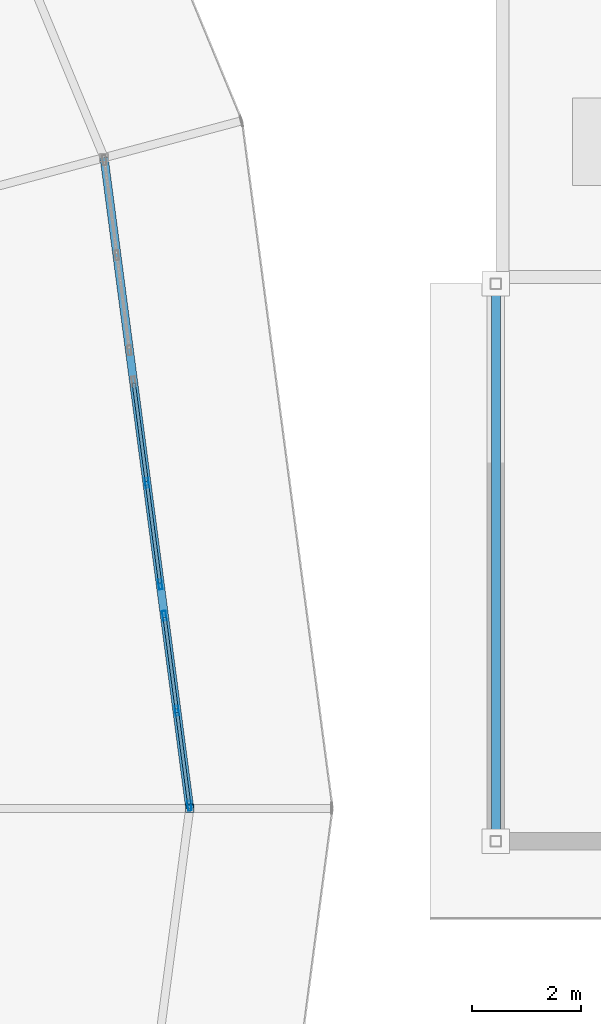
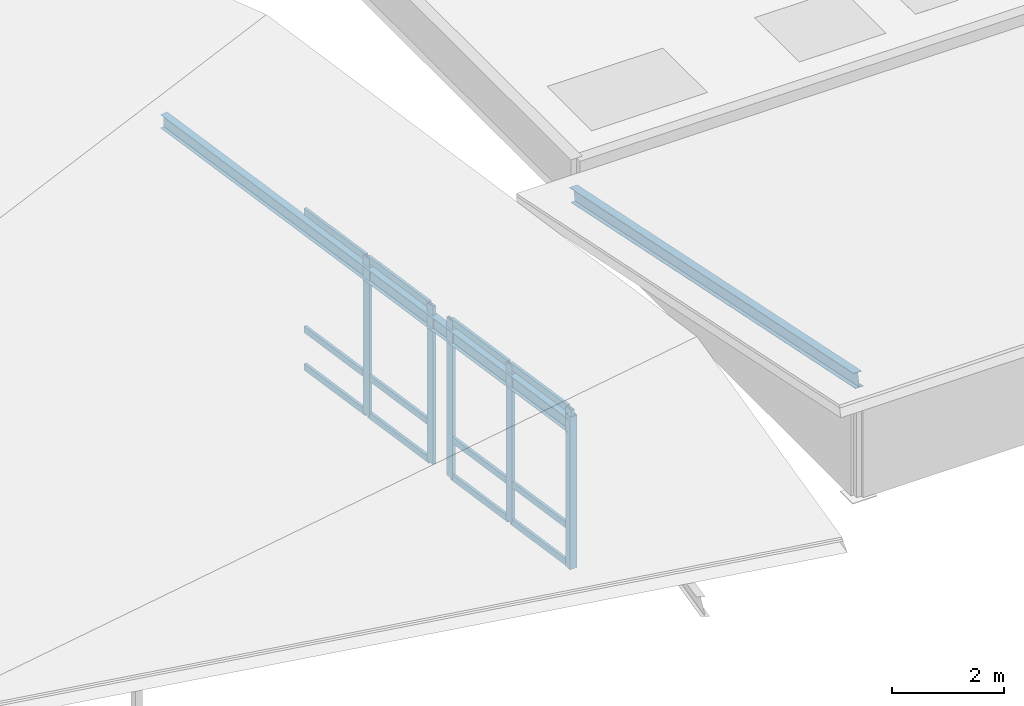
# One storey, part 115 of 200: 19 members, 1 beam, 2 elements without a shape of their own.
"""IFC4 building model written with IfcOpenShell, lengths in metres."""

import ifcopenshell
import ifcopenshell.guid

model = None  # the IFC model being written
_history = None  # IfcOwnerHistory: only IFC2X3 demands one
_inside = {}  # id of a spatial element -> (the spatial element, [elements in it])
_under = {}  # id of a project, library or spatial element -> (it, [spatial elements below it])
_declared = {}  # id of a project -> (the project, [libraries it declares])
_typed = {}  # id of a type object -> (the type object, [elements of that type])
_made_of = {}  # id of a material, layer set ... -> (it, [elements and type objects made of it])


def new_model(schema):
    """Start an empty IFC model of exactly this schema.

    Asked for "IFC4X3", IfcOpenShell would pick the latest addendum, in which some entities
    have other attributes; the version numbers below select the first issue.
    IFC2X3 requires an IfcOwnerHistory on every rooted entity: one is made here for all.
    """
    global model, _history
    if schema == "IFC4X3":
        model = ifcopenshell.file(schema_version=(4, 3, 0, 0))
    else:
        model = ifcopenshell.file(schema=schema)
    _inside.clear()
    _under.clear()
    _declared.clear()
    _typed.clear()
    _made_of.clear()
    _history = None
    if model.schema == "IFC2X3":
        org = make("IfcOrganization", Name="unknown")
        user = make(
            "IfcPersonAndOrganization",
            ThePerson=make("IfcPerson", FamilyName="unknown"),
            TheOrganization=org,
        )
        app = make(
            "IfcApplication",
            ApplicationDeveloper=org,
            Version="unknown",
            ApplicationFullName="unknown",
            ApplicationIdentifier="unknown",
        )
        _history = make(
            "IfcOwnerHistory",
            OwningUser=user,
            OwningApplication=app,
            ChangeAction="ADDED",
            CreationDate=0,
        )
    return model


def make(cls, **values):
    """One entity of the class cls with the attributes given. An attribute that is None is left unset."""
    return model.create_entity(
        cls, **{name: value for name, value in values.items() if value is not None}
    )


def rooted(cls, **values):
    """An entity with a GlobalId (a new one), such as an element, a storey or a relation."""
    return make(cls, GlobalId=ifcopenshell.guid.new(), OwnerHistory=_history, **values)


def si_unit(unit_type, name, prefix=None):
    """IfcSIUnit, for example si_unit("LENGTHUNIT", "METRE", prefix="MILLI")."""
    return make("IfcSIUnit", UnitType=unit_type, Prefix=prefix, Name=name)


def assignment(units):
    """IfcUnitAssignment: the units of a project."""
    return None if units is None else make("IfcUnitAssignment", Units=units)


def point(xyz):
    """IfcCartesianPoint."""
    return None if xyz is None else make("IfcCartesianPoint", Coordinates=xyz)


def direction(xyz):
    """IfcDirection."""
    return None if xyz is None else make("IfcDirection", DirectionRatios=xyz)


def frame(location, z_axis=None, x_axis=None):
    """IfcAxis2Placement3D, a coordinate frame: its origin and axes. An axis left out is left unset."""
    return make(
        "IfcAxis2Placement3D",
        Location=point(location),
        Axis=direction(z_axis),
        RefDirection=direction(x_axis),
    )


def frame_2d(location, x_axis=None):
    """IfcAxis2Placement2D, a coordinate frame in the plane: its origin and x axis."""
    return make(
        "IfcAxis2Placement2D", Location=point(location), RefDirection=direction(x_axis)
    )


def origin():
    """The frame at (0, 0, 0) with its axes left unset."""
    return frame((0.0, 0.0, 0.0))


def origin_2d():
    """The frame at (0, 0) in the plane with its x axis left unset."""
    return frame_2d((0.0, 0.0))


def place(relative_to, where):
    """IfcLocalPlacement: puts the frame where relative to a parent placement (None: the world)."""
    return make(
        "IfcLocalPlacement", PlacementRelTo=relative_to, RelativePlacement=where
    )


def context(
    kind, dimensions, precision=None, world=None, true_north=None, identifier=None
):
    """IfcGeometricRepresentationContext, for example the 3D "Model" context."""
    return make(
        "IfcGeometricRepresentationContext",
        ContextIdentifier=identifier,
        ContextType=kind,
        CoordinateSpaceDimension=dimensions,
        Precision=precision,
        WorldCoordinateSystem=world,
        TrueNorth=true_north,
    )


def subcontext(parent, identifier, kind, view, scale=None):
    """IfcGeometricRepresentationSubContext, for example "Body" below "Model"."""
    return make(
        "IfcGeometricRepresentationSubContext",
        ContextIdentifier=identifier,
        ContextType=kind,
        ParentContext=parent,
        TargetScale=scale,
        TargetView=view,
    )


def project(units=None, contexts=None):
    """IfcProject with its units and contexts."""
    return rooted(
        "IfcProject",
        Name="project",
        RepresentationContexts=contexts,
        UnitsInContext=assignment(units),
    )


def spatial(cls, under=None, at=None, **own):
    """A site, building, storey or space (cls), placed at a placement, below another one or the project."""
    s = rooted(cls, ObjectPlacement=at, **own)
    if under is not None:
        _under.setdefault(under.id(), (under, []))[1].append(s)
    return s


def profile(cls, at=None, kind="AREA", **sizes):
    """A parametric profile (cls). Its sizes go by their IFC names, for example OverallWidth=200.0."""
    return make(cls, ProfileType=kind, Position=at, **sizes)


def hollow_rectangle(**sizes):
    """IfcRectangleHollowProfileDef."""
    return profile("IfcRectangleHollowProfileDef", **sizes)


def i_section(**sizes):
    """IfcIShapeProfileDef."""
    return profile("IfcIShapeProfileDef", **sizes)


def extrude(swept, where, along, depth):
    """IfcExtrudedAreaSolid: the profile swept, set in the frame where, extruded along a direction by depth."""
    return make(
        "IfcExtrudedAreaSolid",
        SweptArea=swept,
        Position=where,
        ExtrudedDirection=direction(along),
        Depth=depth,
    )


def shape(context_of_items, identifier, shape_type, items):
    """IfcShapeRepresentation: the items that make up one representation, for example the "Body"."""
    return make(
        "IfcShapeRepresentation",
        ContextOfItems=context_of_items,
        RepresentationIdentifier=identifier,
        RepresentationType=shape_type,
        Items=items,
    )


def material(Name=None, Category=None):
    """IfcMaterial."""
    return make("IfcMaterial", Name=Name, Category=Category)


def material_profile(
    of_material, cross_section, Name=None, Category=None, Priority=None
):
    """IfcMaterialProfile: a cross section and its material."""
    return make(
        "IfcMaterialProfile",
        Name=Name,
        Material=of_material,
        Profile=cross_section,
        Priority=Priority,
        Category=Category,
    )


def profile_set(profiles, Name=None, composite=None):
    """IfcMaterialProfileSet."""
    return make(
        "IfcMaterialProfileSet",
        Name=Name,
        MaterialProfiles=profiles,
        CompositeProfile=composite,
    )


def made_of(thing, what):
    """Note that an element or type object is made of a material, layer set ...; save() writes the relation."""
    if what is not None:
        _made_of.setdefault(what.id(), (what, []))[1].append(thing)
    return thing


def type_object(cls, material=None, **own):
    """A type object (cls), such as IfcWallType, which elements share."""
    return made_of(rooted(cls, **own), material)


def element(
    cls,
    number,
    at=None,
    inside=None,
    cuts=None,
    type_object=None,
    material=None,
    context=None,
    identifier="Body",
    shape_type=None,
    held_by="IfcProductDefinitionShape",
    body=None,
    shapes=None,
    **own,
):
    """One element of the class cls, such as IfcWall. Its Tag is "e" and its number.

    at: its placement. inside: the storey or other place that contains it. cuts: it is an
    opening in that element (IfcRelVoidsElement). A single representation is given by context,
    identifier, shape_type and body (its items); several are given by shapes. held_by: the class
    of the entity that holds the representations. save() writes the other relations.
    """
    e = rooted(cls, Tag="e%d" % number, ObjectPlacement=at, **own)
    if body is not None:
        shapes = [shape(context, identifier, shape_type, body)]
    if shapes is not None:
        e.Representation = make(held_by, Representations=shapes)
    if inside is not None:
        _inside.setdefault(inside.id(), (inside, []))[1].append(e)
    if cuts is not None:
        rooted(
            "IfcRelVoidsElement", RelatingBuildingElement=cuts, RelatedOpeningElement=e
        )
    if type_object is not None:
        _typed.setdefault(type_object.id(), (type_object, []))[1].append(e)
    return made_of(e, material)


def aggregate(whole, parts):
    """IfcRelAggregates: a whole, such as a stair, and the parts it consists of."""
    return rooted("IfcRelAggregates", RelatingObject=whole, RelatedObjects=parts)


def save(model, path):
    """Write the relations noted so far, then the file.

    IfcRelAggregates (storeys below a building ...), IfcRelContainedInSpatialStructure (elements
    in a storey), IfcRelDefinesByType, IfcRelAssociatesMaterial and IfcRelDeclares: one each for
    every whole, place, type object, material and project.
    """
    for whole, parts in _under.values():
        aggregate(whole, parts)
    for where, things in _inside.values():
        rooted(
            "IfcRelContainedInSpatialStructure",
            RelatedElements=things,
            RelatingStructure=where,
        )
    for kind, things in _typed.values():
        rooted("IfcRelDefinesByType", RelatedObjects=things, RelatingType=kind)
    for what, things in _made_of.values():
        rooted("IfcRelAssociatesMaterial", RelatedObjects=things, RelatingMaterial=what)
    for by, libraries in _declared.values():
        rooted("IfcRelDeclares", RelatingContext=by, RelatedDefinitions=libraries)
    model.write(path)


model = new_model("IFC4")

# Units and contexts
model_context = context("Model", 3, precision=1e-05, world=origin(), true_north=direction((0.0, 1.0)))
body_context = subcontext(model_context, "Body", "Model", "MODEL_VIEW")
ifc_project = project(units=[si_unit("LENGTHUNIT", "METRE"), si_unit("AREAUNIT", "SQUARE_METRE"), si_unit("VOLUMEUNIT", "CUBIC_METRE"), si_unit("PLANEANGLEUNIT", "RADIAN"), si_unit("MASSUNIT", "GRAM", prefix="KILO")], contexts=[model_context])

# Site, building, storey
site_placement = place(None, origin())
site = spatial("IfcSite", under=ifc_project, at=site_placement, CompositionType="ELEMENT")
building_placement = place(site_placement, origin())
building = spatial("IfcBuilding", under=site, at=building_placement, Name="Vondelvale Polytechnic", CompositionType="ELEMENT")
storey_placement = place(building_placement, frame((0.0, 0.0, 13.800048828125)))
storey = spatial("IfcBuildingStorey", under=building, at=storey_placement, Name="L03", CompositionType="ELEMENT", Elevation=13.800048828125)

# Beam
ifc_material_1 = material(Name="Steel 300PLUS (fy = 300 MPa)", Category="steel")
ifc_material_profile_1 = material_profile(ifc_material_1, i_section(OverallWidth=0.14892578125, OverallDepth=0.298095703125, WebThickness=0.005615234375, FlangeThickness=0.008056640625, FilletRadius=0.011474609375, at=origin_2d()), Name="310UB32.0")
ifc_profile_set_1 = profile_set([ifc_material_profile_1], Name="Steel 300PLUS (fy = 300 MPa)")
beam_type = type_object("IfcBeamType", Name="BM-UB310L", PredefinedType="BEAM", material=ifc_profile_set_1)
beam_placement = place(storey_placement, frame((148.0, 72.0, 3.11083984375), z_axis=(-0.130522880875, 0.991445297315, 0.0), x_axis=(-0.991445297315, -0.130522880875, 0.0)))
element("IfcBeam", 1, at=beam_placement, inside=storey, type_object=beam_type, Name="L03 RE B-25", PredefinedType="BEAM", context=body_context, shape_type="SweptSolid", body=[
    extrude(i_section(OverallWidth=0.14892578125, OverallDepth=0.298095703125, WebThickness=0.005615234375, FlangeThickness=0.008056640625, FilletRadius=0.011474609375, at=origin_2d()), origin(), (0.0, 0.0, 1.0), 12.008544921875),
])

# Curtain wall, members
ifc_material_2 = material(Name="Glulam GL18 structural Tasmanian oak (fb = 42 MPa)", Category="wood")
curtain_wall_type = type_object("IfcCurtainWallType", Name="CW-RING-OUTER", PredefinedType="NOTDEFINED", material=ifc_material_2)
curtain_wall_1_placement = place(storey_placement, origin())
curtain_wall_1 = element("IfcCurtainWall", 2, at=curtain_wall_1_placement, inside=storey, type_object=curtain_wall_type, Name="L03 architectural curtain wall CW-04-382", PredefinedType="NOTDEFINED")
ifc_material_3 = material(Name="Anodised extruded aluminium 6063-T6", Category="aluminium")
ifc_material_profile_2 = material_profile(ifc_material_3, hollow_rectangle(XDim=0.06494140625, YDim=0.179931640625, WallThickness=0.00390625, at=origin_2d()), Name="CW-MUL-180x65")
ifc_profile_set_2 = profile_set([ifc_material_profile_2], Name="Anodised extruded aluminium 6063-T6")
member_type_1 = type_object("IfcMemberType", Name="CW-MUL-65x180", PredefinedType="MULLION", material=ifc_profile_set_2)
member_1_placement = place(storey_placement, frame((147.99365234375, 72.047119140625, 0.0), z_axis=(0.0, 0.0, 1.0), x_axis=(-0.991445814414, -0.130518952959, 0.0)))
member_1 = element("IfcMember", 3, at=member_1_placement, type_object=member_type_1, Name="CW-04-382 mullion 1", PredefinedType="MULLION", context=body_context, shape_type="SweptSolid", body=[
    extrude(hollow_rectangle(XDim=0.06494140625, YDim=0.179931640625, WallThickness=0.00390625, at=origin_2d()), origin(), (0.0, 0.0, 1.0), 3.46142578125),
])
member_2_placement = place(storey_placement, frame((147.764892578125, 73.785888671875, 0.0), z_axis=(0.0, 0.0, 1.0), x_axis=(-0.991445814414, -0.130518952959, 0.0)))
member_2 = element("IfcMember", 4, at=member_2_placement, type_object=member_type_1, Name="CW-04-382 mullion 2", PredefinedType="MULLION", context=body_context, shape_type="SweptSolid", body=[
    extrude(hollow_rectangle(XDim=0.06494140625, YDim=0.179931640625, WallThickness=0.00390625, at=origin_2d()), origin(), (0.0, 0.0, 1.0), 3.46142578125),
])
member_3_placement = place(storey_placement, frame((147.535888671875, 75.524658203125, 0.0), z_axis=(0.0, 0.0, 1.0), x_axis=(-0.991445814414, -0.130518952959, 0.0)))
member_3 = element("IfcMember", 5, at=member_3_placement, type_object=member_type_1, Name="CW-04-382 mullion 3", PredefinedType="MULLION", context=body_context, shape_type="SweptSolid", body=[
    extrude(hollow_rectangle(XDim=0.06494140625, YDim=0.179931640625, WallThickness=0.00390625, at=origin_2d()), origin(), (0.0, 0.0, 1.0), 3.46142578125),
])

curtain_wall_2_placement = place(storey_placement, origin())
curtain_wall_2 = element("IfcCurtainWall", 6, at=curtain_wall_2_placement, inside=storey, type_object=curtain_wall_type, Name="L03 architectural curtain wall CW-04-383", PredefinedType="NOTDEFINED")
member_4_placement = place(storey_placement, frame((147.4609375, 76.0947265625, 0.0), z_axis=(0.0, 0.0, 1.0), x_axis=(-0.991441883651, -0.130548808277, 0.0)))
member_4 = element("IfcMember", 7, at=member_4_placement, type_object=member_type_1, Name="CW-04-383 mullion 1", PredefinedType="MULLION", context=body_context, shape_type="SweptSolid", body=[
    extrude(hollow_rectangle(XDim=0.06494140625, YDim=0.179931640625, WallThickness=0.00390625, at=origin_2d()), origin(), (0.0, 0.0, 1.0), 3.46142578125),
])
member_5_placement = place(storey_placement, frame((147.21630859375, 77.952880859375, 0.0), z_axis=(0.0, 0.0, 1.0), x_axis=(-0.991441883651, -0.130548808277, 0.0)))
member_5 = element("IfcMember", 8, at=member_5_placement, type_object=member_type_1, Name="CW-04-383 mullion 2", PredefinedType="MULLION", context=body_context, shape_type="SweptSolid", body=[
    extrude(hollow_rectangle(XDim=0.06494140625, YDim=0.179931640625, WallThickness=0.00390625, at=origin_2d()), origin(), (0.0, 0.0, 1.0), 3.46142578125),
])

# Member
ifc_material_profile_3 = material_profile(ifc_material_3, hollow_rectangle(XDim=0.06005859375, YDim=0.139892578125, WallThickness=0.00341796875, at=origin_2d()), Name="CW-TRN-140x60")
ifc_profile_set_3 = profile_set([ifc_material_profile_3], Name="Anodised extruded aluminium 6063-T6")
member_type_2 = type_object("IfcMemberType", Name="CW-TRN-60x140", PredefinedType="USERDEFINED", material=ifc_profile_set_3)
member_6_placement = place(storey_placement, frame((147.989501953125, 72.079345703125, 0.030029296875), z_axis=(-0.13054426382, 0.991442482035, 0.0), x_axis=(-0.991442482035, -0.13054426382, 0.0)))
member_6 = element("IfcMember", 9, at=member_6_placement, type_object=member_type_2, Name="CW-04-382 transom 1.1", ObjectType="TRANSOM", PredefinedType="USERDEFINED", context=body_context, shape_type="SweptSolid", body=[
    extrude(hollow_rectangle(XDim=0.06005859375, YDim=0.139892578125, WallThickness=0.00341796875, at=origin_2d()), origin(), (0.0, 0.0, 1.0), 1.688720703125),
])

member_7_placement = place(storey_placement, frame((147.989501953125, 72.079345703125, 0.849853515625), z_axis=(-0.13054426382, 0.991442482035, 0.0), x_axis=(-0.991442482035, -0.13054426382, 0.0)))
member_7 = element("IfcMember", 10, at=member_7_placement, type_object=member_type_2, Name="CW-04-382 transom 1.2", ObjectType="TRANSOM", PredefinedType="USERDEFINED", context=body_context, shape_type="SweptSolid", body=[
    extrude(hollow_rectangle(XDim=0.06005859375, YDim=0.139892578125, WallThickness=0.00341796875, at=origin_2d()), origin(), (0.0, 0.0, 1.0), 1.688720703125),
])

member_8_placement = place(storey_placement, frame((147.989501953125, 72.079345703125, 3.431396484375), z_axis=(-0.13054426382, 0.991442482035, 0.0), x_axis=(-0.991442482035, -0.13054426382, 0.0)))
member_8 = element("IfcMember", 11, at=member_8_placement, type_object=member_type_2, Name="CW-04-382 transom 1.3", ObjectType="TRANSOM", PredefinedType="USERDEFINED", context=body_context, shape_type="SweptSolid", body=[
    extrude(hollow_rectangle(XDim=0.06005859375, YDim=0.139892578125, WallThickness=0.00341796875, at=origin_2d()), origin(), (0.0, 0.0, 1.0), 1.688720703125),
])

member_9_placement = place(storey_placement, frame((147.760498046875, 73.818115234375, 0.030029296875), z_axis=(-0.130383467584, 0.991463640978, 0.0), x_axis=(-0.991463640978, -0.130383467584, 0.0)))
member_9 = element("IfcMember", 12, at=member_9_placement, type_object=member_type_2, Name="CW-04-382 transom 2.1", ObjectType="TRANSOM", PredefinedType="USERDEFINED", context=body_context, shape_type="SweptSolid", body=[
    extrude(hollow_rectangle(XDim=0.06005859375, YDim=0.139892578125, WallThickness=0.00341796875, at=origin_2d()), origin(), (0.0, 0.0, 1.0), 1.68896484375),
])

member_10_placement = place(storey_placement, frame((147.760498046875, 73.818115234375, 0.849853515625), z_axis=(-0.130383467584, 0.991463640978, 0.0), x_axis=(-0.991463640978, -0.130383467584, 0.0)))
member_10 = element("IfcMember", 13, at=member_10_placement, type_object=member_type_2, Name="CW-04-382 transom 2.2", ObjectType="TRANSOM", PredefinedType="USERDEFINED", context=body_context, shape_type="SweptSolid", body=[
    extrude(hollow_rectangle(XDim=0.06005859375, YDim=0.139892578125, WallThickness=0.00341796875, at=origin_2d()), origin(), (0.0, 0.0, 1.0), 1.68896484375),
])

member_11_placement = place(storey_placement, frame((147.760498046875, 73.818115234375, 3.431396484375), z_axis=(-0.130383467584, 0.991463640978, 0.0), x_axis=(-0.991463640978, -0.130383467584, 0.0)))
member_11 = element("IfcMember", 14, at=member_11_placement, type_object=member_type_2, Name="CW-04-382 transom 2.3", ObjectType="TRANSOM", PredefinedType="USERDEFINED", context=body_context, shape_type="SweptSolid", body=[
    extrude(hollow_rectangle(XDim=0.06005859375, YDim=0.139892578125, WallThickness=0.00341796875, at=origin_2d()), origin(), (0.0, 0.0, 1.0), 1.68896484375),
])

aggregate(curtain_wall_1, [member_1, member_2, member_3, member_6, member_7, member_8, member_9, member_10, member_11])

member_12_placement = place(storey_placement, frame((147.456787109375, 76.126953125, 0.030029296875), z_axis=(-0.130625555745, 0.991431774852, 0.0), x_axis=(-0.991431774852, -0.130625555745, 0.0)))
member_12 = element("IfcMember", 15, at=member_12_placement, type_object=member_type_2, Name="CW-04-383 transom 1.1", ObjectType="TRANSOM", PredefinedType="USERDEFINED", context=body_context, shape_type="SweptSolid", body=[
    extrude(hollow_rectangle(XDim=0.06005859375, YDim=0.139892578125, WallThickness=0.00341796875, at=origin_2d()), origin(), (0.0, 0.0, 1.0), 1.80908203125),
])

member_13_placement = place(storey_placement, frame((147.456787109375, 76.126953125, 0.849853515625), z_axis=(-0.130625555745, 0.991431774852, 0.0), x_axis=(-0.991431774852, -0.130625555745, 0.0)))
member_13 = element("IfcMember", 16, at=member_13_placement, type_object=member_type_2, Name="CW-04-383 transom 1.2", ObjectType="TRANSOM", PredefinedType="USERDEFINED", context=body_context, shape_type="SweptSolid", body=[
    extrude(hollow_rectangle(XDim=0.06005859375, YDim=0.139892578125, WallThickness=0.00341796875, at=origin_2d()), origin(), (0.0, 0.0, 1.0), 1.80908203125),
])

member_14_placement = place(storey_placement, frame((147.456787109375, 76.126953125, 3.431396484375), z_axis=(-0.130625555745, 0.991431774852, 0.0), x_axis=(-0.991431774852, -0.130625555745, 0.0)))
member_14 = element("IfcMember", 17, at=member_14_placement, type_object=member_type_2, Name="CW-04-383 transom 1.3", ObjectType="TRANSOM", PredefinedType="USERDEFINED", context=body_context, shape_type="SweptSolid", body=[
    extrude(hollow_rectangle(XDim=0.06005859375, YDim=0.139892578125, WallThickness=0.00341796875, at=origin_2d()), origin(), (0.0, 0.0, 1.0), 1.80908203125),
])

member_15_placement = place(storey_placement, frame((147.212158203125, 77.985107421875, 0.030029296875), z_axis=(-0.130643034133, 0.99142947184, 0.0), x_axis=(-0.99142947184, -0.130643034133, 0.0)))
member_15 = element("IfcMember", 18, at=member_15_placement, type_object=member_type_2, Name="CW-04-383 transom 2.1", ObjectType="TRANSOM", PredefinedType="USERDEFINED", context=body_context, shape_type="SweptSolid", body=[
    extrude(hollow_rectangle(XDim=0.06005859375, YDim=0.139892578125, WallThickness=0.00341796875, at=origin_2d()), origin(), (0.0, 0.0, 1.0), 1.80908203125),
])

member_16_placement = place(storey_placement, frame((147.212158203125, 77.985107421875, 0.849853515625), z_axis=(-0.130643034133, 0.99142947184, 0.0), x_axis=(-0.99142947184, -0.130643034133, 0.0)))
member_16 = element("IfcMember", 19, at=member_16_placement, type_object=member_type_2, Name="CW-04-383 transom 2.2", ObjectType="TRANSOM", PredefinedType="USERDEFINED", context=body_context, shape_type="SweptSolid", body=[
    extrude(hollow_rectangle(XDim=0.06005859375, YDim=0.139892578125, WallThickness=0.00341796875, at=origin_2d()), origin(), (0.0, 0.0, 1.0), 1.80908203125),
])

member_17_placement = place(storey_placement, frame((147.212158203125, 77.985107421875, 3.431396484375), z_axis=(-0.130643034133, 0.99142947184, 0.0), x_axis=(-0.99142947184, -0.130643034133, 0.0)))
member_17 = element("IfcMember", 20, at=member_17_placement, type_object=member_type_2, Name="CW-04-383 transom 2.3", ObjectType="TRANSOM", PredefinedType="USERDEFINED", context=body_context, shape_type="SweptSolid", body=[
    extrude(hollow_rectangle(XDim=0.06005859375, YDim=0.139892578125, WallThickness=0.00341796875, at=origin_2d()), origin(), (0.0, 0.0, 1.0), 1.80908203125),
])

aggregate(curtain_wall_2, [member_4, member_5, member_12, member_13, member_14, member_15, member_16, member_17])

# Members
ifc_material_profile_4 = material_profile(ifc_material_1, i_section(OverallWidth=0.166015625, OverallDepth=0.306884765625, WebThickness=0.006591796875, FlangeThickness=0.01171875, FilletRadius=0.011474609375, at=origin_2d()), Name="310UB46.2")
ifc_profile_set_4 = profile_set([ifc_material_profile_4], Name="Steel 300PLUS (fy = 300 MPa)")
member_type_3 = type_object("IfcMemberType", Name="RAFTER UB310", PredefinedType="RAFTER", material=ifc_profile_set_4)
member_18_placement = place(storey_placement, frame((153.60009765625, 71.39990234375, 2.494140625), z_axis=(0.0, 0.979265710903, -0.20258002727), x_axis=(-1.0, 0.0, 0.0)))
element("IfcMember", 21, at=member_18_placement, inside=storey, type_object=member_type_3, Name="Refectory wing pitched roof rafter", PredefinedType="RAFTER", context=body_context, shape_type="SweptSolid", body=[
    extrude(i_section(OverallWidth=0.166015625, OverallDepth=0.306884765625, WebThickness=0.006591796875, FlangeThickness=0.01171875, FilletRadius=0.011474609375, at=origin_2d()), origin(), (0.0, 0.0, 1.0), 10.416259765625),
])
ifc_material_4 = material(Name="Steel C350L0 (fy = 350 MPa)", Category="steel")
ifc_material_profile_5 = material_profile(ifc_material_4, hollow_rectangle(XDim=0.14990234375, YDim=0.14990234375, WallThickness=0.006103515625, at=origin_2d()), Name="150x150x6.0SHS")
ifc_profile_set_5 = profile_set([ifc_material_profile_5], Name="Steel C350L0 (fy = 350 MPa)")
member_type_4 = type_object("IfcMemberType", Name="ROOF TRUSS POST 150SHS", PredefinedType="POST", material=ifc_profile_set_5)
member_19_placement = place(storey_placement, frame((148.0, 72.0, 0.0), z_axis=(0.0, 0.0, 1.0), x_axis=(1.0, 0.0, 0.0)))
element("IfcMember", 22, at=member_19_placement, inside=storey, type_object=member_type_4, Name="Ring outer roof post 00", PredefinedType="POST", context=body_context, shape_type="SweptSolid", body=[
    extrude(hollow_rectangle(XDim=0.14990234375, YDim=0.14990234375, WallThickness=0.006103515625, at=origin_2d()), origin(), (0.0, 0.0, 1.0), 3.33984375),
])

save(model, "model.ifc")
